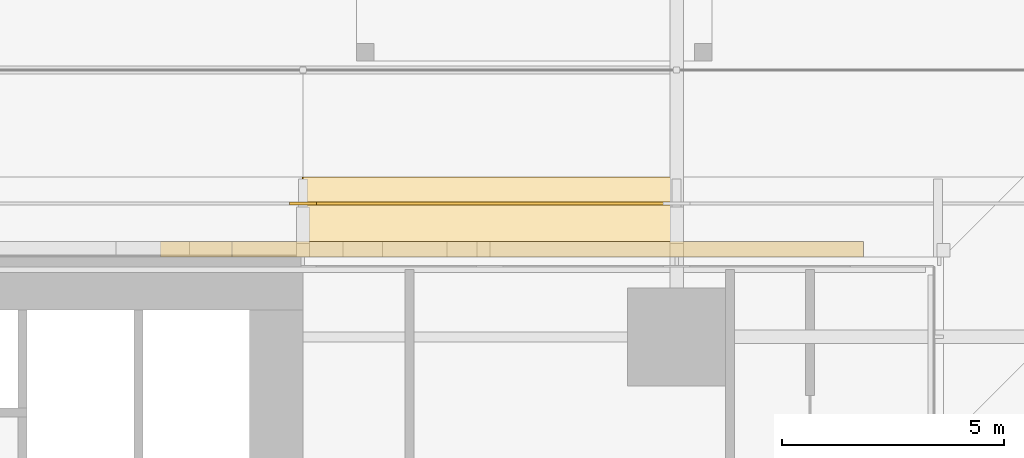
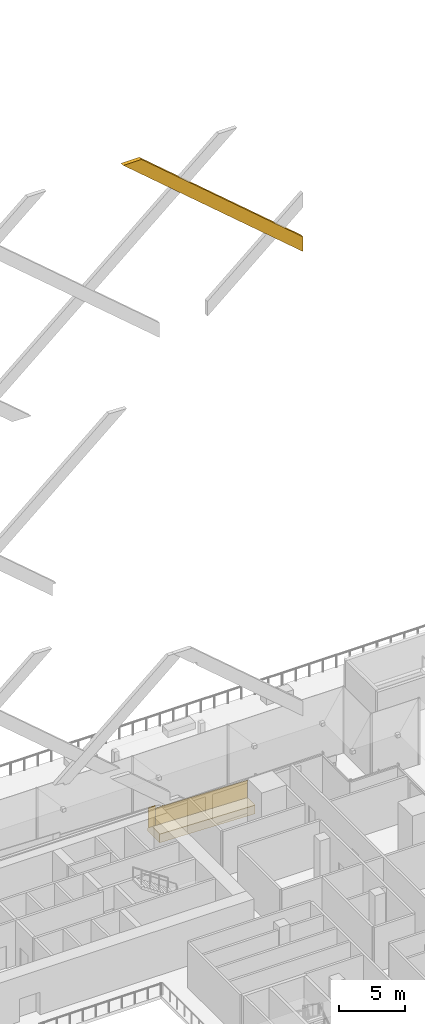
# One storey, part 56 of 60: 2 coverings, 2 railings.
"""IFC4 building model written with IfcOpenShell, lengths in metres."""

from ifc_helpers import new_model, si_unit, direction, frame, origin, origin_2d, place, context, subcontext, project, spatial, polyline, rectangle, outline, extrude, material, layer, layer_set, type_object, element, save


model = new_model("IFC4")

# Units and contexts
model_context = context("Model", 3, precision=1e-05, world=origin(), true_north=direction((0.0, 1.0)))
body_context = subcontext(model_context, "Body", "Model", "MODEL_VIEW")
ifc_project = project(units=[si_unit("LENGTHUNIT", "METRE"), si_unit("AREAUNIT", "SQUARE_METRE"), si_unit("VOLUMEUNIT", "CUBIC_METRE"), si_unit("PLANEANGLEUNIT", "RADIAN"), si_unit("MASSUNIT", "GRAM", prefix="KILO")], contexts=[model_context])

# Site, building, storey
site_placement = place(None, origin())
site = spatial("IfcSite", under=ifc_project, at=site_placement, CompositionType="ELEMENT")
building_placement = place(site_placement, origin())
building = spatial("IfcBuilding", under=site, at=building_placement, Name="Saffron Gate Tower", CompositionType="ELEMENT")
storey_placement = place(building_placement, frame((0.0, 0.0, 19.199951171875)))
storey = spatial("IfcBuildingStorey", under=building, at=storey_placement, Name="L03", CompositionType="ELEMENT", Elevation=19.199951171875)

# Covering
ifc_material_1 = material(Name="Timber, thermally modified ash", Category="wood")
ifc_layer_1 = layer(ifc_material_1, 0.800048828125)
ifc_layer_set_1 = layer_set([ifc_layer_1], Name="LD1 ledge timber")
covering_type_1 = type_object("IfcCoveringType", Name="LD1 ledge timber", PredefinedType="CLADDING", material=ifc_layer_set_1)
covering_1_placement = place(storey_placement, frame((117.0, 75.60009765625, 1.238037109375), z_axis=(0.028791175352, 0.0, 0.999585448184), x_axis=(-0.999585448184, 0.0, 0.028791175352)))
element("IfcCovering", 1, at=covering_1_placement, inside=storey, type_object=covering_type_1, Name="LEDGE", PredefinedType="CLADDING", context=body_context, shape_type="SweptSolid", body=[
    extrude(outline(polyline([(0.0, 0.0), (8.403385982666892, 0.0), (8.403385982666892, -1.7998046875), (0.0, -1.7998046875), (0.0, 0.0)])), origin(), (0.0, 0.0, -1.0), 0.800048828125),
])

# Railings
railing_type = type_object("IfcRailingType", Name="LG1 ledge balustrade", PredefinedType="BALUSTRADE", material=ifc_material_1)
railing_1_placement = place(storey_placement, frame((117.0, 76.800048828125, 1.238037109375)))
element("IfcRailing", 2, at=railing_1_placement, inside=storey, type_object=railing_type, Name="LEDGE BALUSTRADE", PredefinedType="BALUSTRADE", context=body_context, shape_type="SweptSolid", body=[
    extrude(rectangle(XDim=0.06005859375, YDim=1.60009765625, at=origin_2d()), frame((0.0, 0.0, 0.800048828125), z_axis=(-0.999585448184, 0.0, 0.028791175352), x_axis=(0.0, -1.0, 0.0)), (0.0, 0.0, 1.0), 8.4033203125),
])
railing_2_placement = place(storey_placement, frame((108.89990234375, 76.800048828125, 1.47998046875)))
element("IfcRailing", 3, at=railing_2_placement, inside=storey, type_object=railing_type, Name="LEDGE BALUSTRADE", PredefinedType="BALUSTRADE", context=body_context, shape_type="SweptSolid", body=[
    extrude(rectangle(XDim=0.06005859375, YDim=1.8310546875, at=origin_2d()), frame((0.0, 0.0, 0.91552734375), z_axis=(-1.0, 0.0, 0.0), x_axis=(0.0, -1.0, 0.0)), (0.0, 0.0, 1.0), 0.599853515625),
])

# Covering
ifc_material_2 = material(Name="Ceramic-printed bronze insulated panel")
ifc_layer_2 = layer(ifc_material_2, 0.35009765625)
ifc_layer_set_2 = layer_set([ifc_layer_2], Name="LZ1 lozenge lattice bar 1600")
covering_type_2 = type_object("IfcCoveringType", Name="LZ1 lozenge lattice bar 1600", PredefinedType="CLADDING", material=ifc_layer_set_2)
covering_2_placement = place(storey_placement, frame((121.199951171875, 75.949951171875, 51.257080078125), z_axis=(0.0, 1.0, 0.0), x_axis=(-0.759254946091, 0.0, 0.650793305771)))
element("IfcCovering", 4, at=covering_2_placement, inside=storey, type_object=covering_type_2, Name="CLADDING lozenge lattice bar", PredefinedType="CLADDING", context=body_context, shape_type="SweptSolid", body=[
    extrude(outline(polyline([(0.0, 0.0), (20.80993862399913, 0.0), (19.59505656426243, 1.0413328432670585), (0.8926164042530264, 1.0413804411963352), (0.0, 0.0)])), origin(), (0.0, 0.0, -1.0), 0.35009765625),
])

save(model, "model.ifc")
